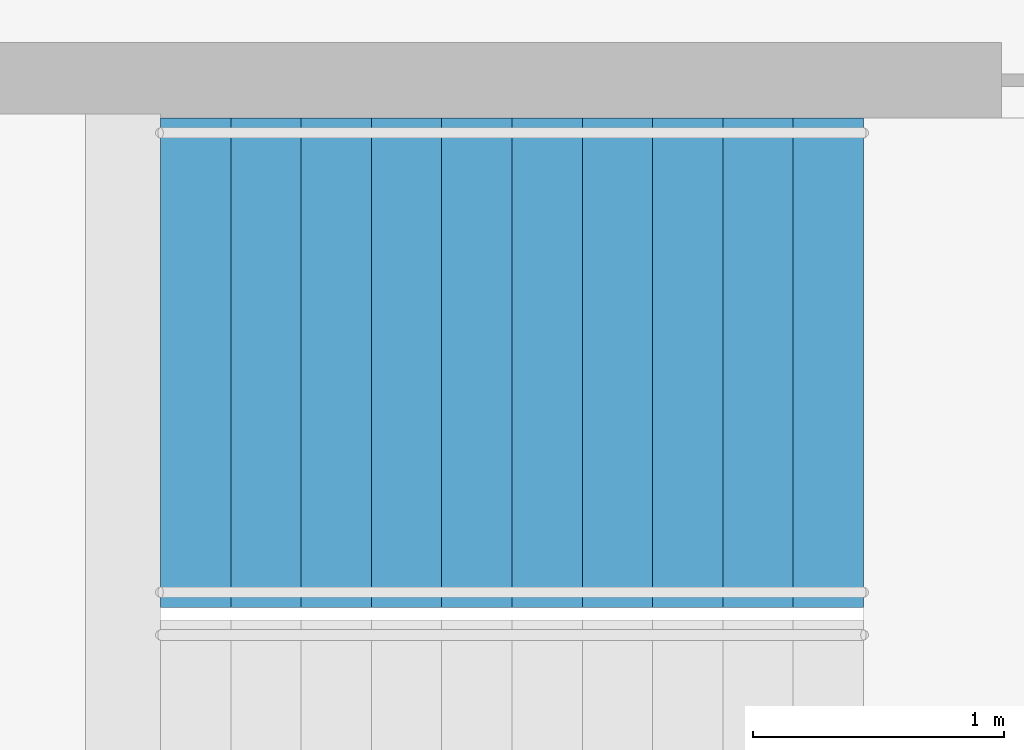
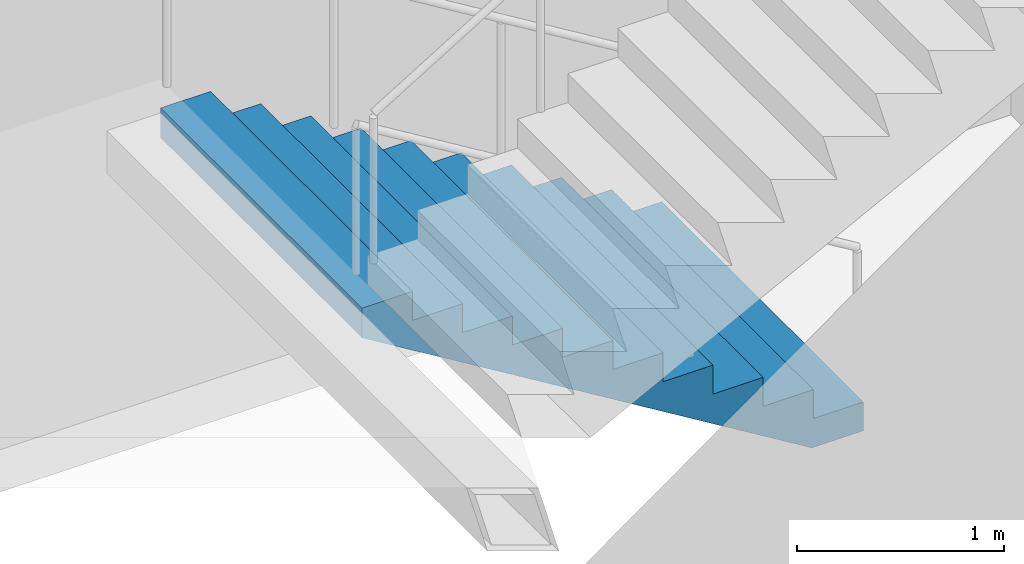
# One storey, part 22 of 23: 1 stair flight, 1 element without a shape of its own.
"""IFC4 building model written with IfcOpenShell, lengths in metres."""

from ifc_helpers import new_model, si_unit, direction, frame, origin, place, context, subcontext, project, spatial, triangles, material, type_object, element, aggregate, save


model = new_model("IFC4")

# Units and contexts
model_context = context("Model", 3, precision=1e-05, world=origin(), true_north=direction((0.0, 1.0)))
body_context = subcontext(model_context, "Body", "Model", "MODEL_VIEW")
ifc_project = project(units=[si_unit("LENGTHUNIT", "METRE"), si_unit("AREAUNIT", "SQUARE_METRE"), si_unit("VOLUMEUNIT", "CUBIC_METRE"), si_unit("PLANEANGLEUNIT", "RADIAN"), si_unit("MASSUNIT", "GRAM", prefix="KILO")], contexts=[model_context])

# Site, building, storey
site_placement = place(None, origin())
site = spatial("IfcSite", under=ifc_project, at=site_placement, CompositionType="ELEMENT")
building_placement = place(site_placement, origin())
building = spatial("IfcBuilding", under=site, at=building_placement, Name="Orbita Commons", CompositionType="ELEMENT")
storey_placement = place(building_placement, frame((0.0, 0.0, 42.699951171875)))
storey = spatial("IfcBuildingStorey", under=building, at=storey_placement, Name="L10", CompositionType="ELEMENT", Elevation=42.699951171875)

# Stair, stair flight
ifc_material_1 = material(Name="Precast concrete C40/50", Category="concrete")
stair_type = type_object("IfcStairType", Name="Exit stair S2 2 flights 11 risers 170", PredefinedType="HALF_TURN_STAIR", material=ifc_material_1)
stair_placement = place(storey_placement, origin())
stair = element("IfcStair", 1, at=stair_placement, inside=storey, type_object=stair_type, Name="Exit stair S2 L10", PredefinedType="HALF_TURN_STAIR")
ifc_material_2 = material(Name="Precast concrete C40/50", Category="concrete")
stair_flight_type = type_object("IfcStairFlightType", Name="Stair flight 11 risers 170 x 280", PredefinedType="STRAIGHT", material=ifc_material_2)
stair_flight_placement = place(storey_placement, frame((63.550048828125, 29.27490234375, 0.0), z_axis=(0.0, 0.0, 1.0), x_axis=(-1.0, 0.0, 0.0)))
stair_flight = element("IfcStairFlight", 2, at=stair_flight_placement, type_object=stair_flight_type, Name="S2 flight 1", NumberOfRisers=11, NumberOfTreads=10, PredefinedType="STRAIGHT", RiserHeight=0.170454545, TreadLength=0.28, context=body_context, shape_type="Tessellation", body=[
    triangles([(0.0, 0.974976, 0.0), (0.0, 0.974976, 0.021307), (0.0, 0.81248, 0.021307), (0.0, 0.81248, 0.0), (0.0, 0.649984, 0.021307), (0.0, 0.649984, 0.0), (0.0, 0.487488, 0.021307), (0.0, 0.487488, 0.0), (0.0, 0.324992, 0.021307), (0.0, 0.324992, 0.0), (0.0, 0.162496, 0.021307), (0.0, 0.162496, 0.0), (0.0, 0.0, 0.021307), (0.0, 0.0, 0.0), (0.0, -0.162496, 0.021307), (0.0, -0.162496, 0.0), (0.0, -0.324992, 0.021307), (0.0, -0.324992, 0.0), (0.0, -0.487488, 0.021307), (0.0, -0.487488, 0.0), (0.0, -0.649984, 0.021307), (0.0, -0.649984, 0.0), (0.0, -0.81248, 0.021307), (0.0, -0.81248, 0.0), (0.0, -0.974976, 0.021307), (0.0, -0.974976, 0.0), (0.0, 0.974976, 0.042614), (0.0, 0.81248, 0.042614), (0.0, 0.649984, 0.042614), (0.0, 0.487488, 0.042614), (0.0, 0.324992, 0.042614), (0.0, 0.162496, 0.042614), (0.0, 0.0, 0.042614), (0.0, -0.162496, 0.042614), (0.0, -0.324992, 0.042614), (0.0, -0.487488, 0.042614), (0.0, -0.649984, 0.042614), (0.0, -0.81248, 0.042614), (0.0, -0.974976, 0.042614), (0.0, 0.974976, 0.06392), (0.0, 0.81248, 0.06392), (0.0, 0.649984, 0.06392), (0.0, 0.487488, 0.06392), (0.0, 0.324992, 0.06392), (0.0, 0.162496, 0.06392), (0.0, 0.0, 0.06392), (0.0, -0.162496, 0.06392), (0.0, -0.324992, 0.06392), (0.0, -0.487488, 0.06392), (0.0, -0.649984, 0.06392), (0.0, -0.81248, 0.06392), (0.0, -0.974976, 0.06392), (0.0, 0.974976, 0.085227), (0.0, 0.81248, 0.085227), (0.0, 0.649984, 0.085227), (0.0, 0.487488, 0.085227), (0.0, 0.324992, 0.085227), (0.0, 0.162496, 0.085227), (0.0, 0.0, 0.085227), (0.0, -0.162496, 0.085227), (0.0, -0.324992, 0.085227), (0.0, -0.487488, 0.085227), (0.0, -0.649984, 0.085227), (0.0, -0.81248, 0.085227), (0.0, -0.974976, 0.085227), (0.0, 0.974976, 0.106534), (0.0, 0.81248, 0.106534), (0.0, 0.649984, 0.106534), (0.0, 0.487488, 0.106534), (0.0, 0.324992, 0.106534), (0.0, 0.162496, 0.106534), (0.0, 0.0, 0.106534), (0.0, -0.162496, 0.106534), (0.0, -0.324992, 0.106534), (0.0, -0.487488, 0.106534), (0.0, -0.649984, 0.106534), (0.0, -0.81248, 0.106534), (0.0, -0.974976, 0.106534), (0.0, 0.974976, 0.127841), (0.0, 0.81248, 0.127841), (0.0, 0.649984, 0.127841), (0.0, 0.487488, 0.127841), (0.0, 0.324992, 0.127841), (0.0, 0.162496, 0.127841), (0.0, 0.0, 0.127841), (0.0, -0.162496, 0.127841), (0.0, -0.324992, 0.127841), (0.0, -0.487488, 0.127841), (0.0, -0.649984, 0.127841), (0.0, -0.81248, 0.127841), (0.0, -0.974976, 0.127841), (0.0, 0.974976, 0.149148), (0.0, 0.81248, 0.149148), (0.0, 0.649984, 0.149148), (0.0, 0.487488, 0.149148), (0.0, 0.324992, 0.149148), (0.0, 0.162496, 0.149148), (0.0, 0.0, 0.149148), (0.0, -0.162496, 0.149148), (0.0, -0.324992, 0.149148), (0.0, -0.487488, 0.149148), (0.0, -0.649984, 0.149148), (0.0, -0.81248, 0.149148), (0.0, -0.974976, 0.149148), (0.0, 0.974976, 0.170455), (0.0, 0.81248, 0.170455), (0.0, 0.649984, 0.170455), (0.0, 0.487488, 0.170455), (0.0, 0.324992, 0.170455), (0.0, 0.162496, 0.170455), (0.0, 0.0, 0.170455), (0.0, -0.162496, 0.170455), (0.0, -0.324992, 0.170455), (0.0, -0.487488, 0.170455), (0.0, -0.649984, 0.170455), (0.0, -0.81248, 0.170455), (0.0, -0.974976, 0.170455), (0.28, 0.974976, 0.170455), (0.28, 0.81248, 0.170455), (0.28, 0.649984, 0.170455), (0.28, 0.487488, 0.170455), (0.28, 0.324992, 0.170455), (0.28, 0.162496, 0.170455), (0.28, 0.0, 0.170455), (0.28, -0.162496, 0.170455), (0.28, -0.324992, 0.170455), (0.28, -0.487488, 0.170455), (0.28, -0.649984, 0.170455), (0.28, -0.81248, 0.170455), (0.28, -0.974976, 0.170455), (0.28, 0.974976, 0.340909), (0.28, 0.81248, 0.340909), (0.28, 0.649984, 0.340909), (0.28, 0.487488, 0.340909), (0.28, 0.324992, 0.340909), (0.28, 0.162496, 0.340909), (0.28, 0.0, 0.340909), (0.28, -0.162496, 0.340909), (0.28, -0.324992, 0.340909), (0.28, -0.487488, 0.340909), (0.28, -0.649984, 0.340909), (0.28, -0.81248, 0.340909), (0.28, -0.974976, 0.340909), (0.56, 0.974976, 0.340909), (0.56, 0.81248, 0.340909), (0.56, 0.649984, 0.340909), (0.56, 0.487488, 0.340909), (0.56, 0.324992, 0.340909), (0.56, 0.162496, 0.340909), (0.56, 0.0, 0.340909), (0.56, -0.162496, 0.340909), (0.56, -0.324992, 0.340909), (0.56, -0.487488, 0.340909), (0.56, -0.649984, 0.340909), (0.56, -0.81248, 0.340909), (0.56, -0.974976, 0.340909), (0.56, 0.974976, 0.511364), (0.56, 0.81248, 0.511364), (0.56, 0.649984, 0.511364), (0.56, 0.487488, 0.511364), (0.56, 0.324992, 0.511364), (0.56, 0.162496, 0.511364), (0.56, 0.0, 0.511364), (0.56, -0.162496, 0.511364), (0.56, -0.324992, 0.511364), (0.56, -0.487488, 0.511364), (0.56, -0.649984, 0.511364), (0.56, -0.81248, 0.511364), (0.56, -0.974976, 0.511364), (0.84, 0.974976, 0.511364), (0.84, 0.81248, 0.511364), (0.84, 0.649984, 0.511364), (0.84, 0.487488, 0.511364), (0.84, 0.324992, 0.511364), (0.84, 0.162496, 0.511364), (0.84, 0.0, 0.511364), (0.84, -0.162496, 0.511364), (0.84, -0.324992, 0.511364), (0.84, -0.487488, 0.511364), (0.84, -0.649984, 0.511364), (0.84, -0.81248, 0.511364), (0.84, -0.974976, 0.511364), (0.84, 0.974976, 0.681818), (0.84, 0.81248, 0.681818), (0.84, 0.649984, 0.681818), (0.84, 0.487488, 0.681818), (0.84, 0.324992, 0.681818), (0.84, 0.162496, 0.681818), (0.84, 0.0, 0.681818), (0.84, -0.162496, 0.681818), (0.84, -0.324992, 0.681818), (0.84, -0.487488, 0.681818), (0.84, -0.649984, 0.681818), (0.84, -0.81248, 0.681818), (0.84, -0.974976, 0.681818), (1.12, 0.974976, 0.681818), (1.12, 0.81248, 0.681818), (1.12, 0.649984, 0.681818), (1.12, 0.487488, 0.681818), (1.12, 0.324992, 0.681818), (1.12, 0.162496, 0.681818), (1.12, 0.0, 0.681818), (1.12, -0.162496, 0.681818), (1.12, -0.324992, 0.681818), (1.12, -0.487488, 0.681818), (1.12, -0.649984, 0.681818), (1.12, -0.81248, 0.681818), (1.12, -0.974976, 0.681818), (1.12, 0.974976, 0.852273), (1.12, 0.81248, 0.852273), (1.12, 0.649984, 0.852273), (1.12, 0.487488, 0.852273), (1.12, 0.324992, 0.852273), (1.12, 0.162496, 0.852273), (1.12, 0.0, 0.852273), (1.12, -0.162496, 0.852273), (1.12, -0.324992, 0.852273), (1.12, -0.487488, 0.852273), (1.12, -0.649984, 0.852273), (1.12, -0.81248, 0.852273), (1.12, -0.974976, 0.852273), (1.4, 0.974976, 0.852273), (1.4, 0.81248, 0.852273), (1.4, 0.649984, 0.852273), (1.4, 0.487488, 0.852273), (1.4, 0.324992, 0.852273), (1.4, 0.162496, 0.852273), (1.4, 0.0, 0.852273), (1.4, -0.162496, 0.852273), (1.4, -0.324992, 0.852273), (1.4, -0.487488, 0.852273), (1.4, -0.649984, 0.852273), (1.4, -0.81248, 0.852273), (1.4, -0.974976, 0.852273), (1.4, 0.974976, 1.022727), (1.4, 0.81248, 1.022727), (1.4, 0.649984, 1.022727), (1.4, 0.487488, 1.022727), (1.4, 0.324992, 1.022727), (1.4, 0.162496, 1.022727), (1.4, 0.0, 1.022727), (1.4, -0.162496, 1.022727), (1.4, -0.324992, 1.022727), (1.4, -0.487488, 1.022727), (1.4, -0.649984, 1.022727), (1.4, -0.81248, 1.022727), (1.4, -0.974976, 1.022727), (1.68, 0.974976, 1.022727), (1.68, 0.81248, 1.022727), (1.68, 0.649984, 1.022727), (1.68, 0.487488, 1.022727), (1.68, 0.324992, 1.022727), (1.68, 0.162496, 1.022727), (1.68, 0.0, 1.022727), (1.68, -0.162496, 1.022727), (1.68, -0.324992, 1.022727), (1.68, -0.487488, 1.022727), (1.68, -0.649984, 1.022727), (1.68, -0.81248, 1.022727), (1.68, -0.974976, 1.022727), (1.68, 0.974976, 1.193182), (1.68, 0.81248, 1.193182), (1.68, 0.649984, 1.193182), (1.68, 0.487488, 1.193182), (1.68, 0.324992, 1.193182), (1.68, 0.162496, 1.193182), (1.68, 0.0, 1.193182), (1.68, -0.162496, 1.193182), (1.68, -0.324992, 1.193182), (1.68, -0.487488, 1.193182), (1.68, -0.649984, 1.193182), (1.68, -0.81248, 1.193182), (1.68, -0.974976, 1.193182), (1.96, 0.974976, 1.193182), (1.96, 0.81248, 1.193182), (1.96, 0.649984, 1.193182), (1.96, 0.487488, 1.193182), (1.96, 0.324992, 1.193182), (1.96, 0.162496, 1.193182), (1.96, 0.0, 1.193182), (1.96, -0.162496, 1.193182), (1.96, -0.324992, 1.193182), (1.96, -0.487488, 1.193182), (1.96, -0.649984, 1.193182), (1.96, -0.81248, 1.193182), (1.96, -0.974976, 1.193182), (1.96, 0.974976, 1.363636), (1.96, 0.81248, 1.363636), (1.96, 0.649984, 1.363636), (1.96, 0.487488, 1.363636), (1.96, 0.324992, 1.363636), (1.96, 0.162496, 1.363636), (1.96, 0.0, 1.363636), (1.96, -0.162496, 1.363636), (1.96, -0.324992, 1.363636), (1.96, -0.487488, 1.363636), (1.96, -0.649984, 1.363636), (1.96, -0.81248, 1.363636), (1.96, -0.974976, 1.363636), (2.24, 0.974976, 1.363636), (2.24, 0.81248, 1.363636), (2.24, 0.649984, 1.363636), (2.24, 0.487488, 1.363636), (2.24, 0.324992, 1.363636), (2.24, 0.162496, 1.363636), (2.24, 0.0, 1.363636), (2.24, -0.162496, 1.363636), (2.24, -0.324992, 1.363636), (2.24, -0.487488, 1.363636), (2.24, -0.649984, 1.363636), (2.24, -0.81248, 1.363636), (2.24, -0.974976, 1.363636), (2.24, 0.974976, 1.534091), (2.24, 0.81248, 1.534091), (2.24, 0.649984, 1.534091), (2.24, 0.487488, 1.534091), (2.24, 0.324992, 1.534091), (2.24, 0.162496, 1.534091), (2.24, 0.0, 1.534091), (2.24, -0.162496, 1.534091), (2.24, -0.324992, 1.534091), (2.24, -0.487488, 1.534091), (2.24, -0.649984, 1.534091), (2.24, -0.81248, 1.534091), (2.24, -0.974976, 1.534091), (2.52, 0.974976, 1.534091), (2.52, 0.81248, 1.534091), (2.52, 0.649984, 1.534091), (2.52, 0.487488, 1.534091), (2.52, 0.324992, 1.534091), (2.52, 0.162496, 1.534091), (2.52, 0.0, 1.534091), (2.52, -0.162496, 1.534091), (2.52, -0.324992, 1.534091), (2.52, -0.487488, 1.534091), (2.52, -0.649984, 1.534091), (2.52, -0.81248, 1.534091), (2.52, -0.974976, 1.534091), (2.52, 0.974976, 1.704545), (2.52, 0.81248, 1.704545), (2.52, 0.649984, 1.704545), (2.52, 0.487488, 1.704545), (2.52, 0.324992, 1.704545), (2.52, 0.162496, 1.704545), (2.52, 0.0, 1.704545), (2.52, -0.162496, 1.704545), (2.52, -0.324992, 1.704545), (2.52, -0.487488, 1.704545), (2.52, -0.649984, 1.704545), (2.52, -0.81248, 1.704545), (2.52, -0.974976, 1.704545), (2.8, 0.974976, 1.704545), (2.8, 0.81248, 1.704545), (2.8, 0.649984, 1.704545), (2.8, 0.487488, 1.704545), (2.8, 0.324992, 1.704545), (2.8, 0.162496, 1.704545), (2.8, 0.0, 1.704545), (2.8, -0.162496, 1.704545), (2.8, -0.324992, 1.704545), (2.8, -0.487488, 1.704545), (2.8, -0.649984, 1.704545), (2.8, -0.81248, 1.704545), (2.8, -0.974976, 1.704545), (2.8, 0.974976, 1.682609), (2.8, 0.81248, 1.682609), (2.8, 0.649984, 1.682609), (2.8, 0.487488, 1.682609), (2.8, 0.324992, 1.682609), (2.8, 0.162496, 1.682609), (2.8, 0.0, 1.682609), (2.8, -0.162496, 1.682609), (2.8, -0.324992, 1.682609), (2.8, -0.487488, 1.682609), (2.8, -0.649984, 1.682609), (2.8, -0.81248, 1.682609), (2.8, -0.974976, 1.682609), (2.8, 0.974976, 1.660672), (2.8, 0.81248, 1.660672), (2.8, 0.649984, 1.660672), (2.8, 0.487488, 1.660672), (2.8, 0.324992, 1.660672), (2.8, 0.162496, 1.660672), (2.8, 0.0, 1.660672), (2.8, -0.162496, 1.660672), (2.8, -0.324992, 1.660672), (2.8, -0.487488, 1.660672), (2.8, -0.649984, 1.660672), (2.8, -0.81248, 1.660672), (2.8, -0.974976, 1.660672), (2.8, 0.974976, 1.638735), (2.8, 0.81248, 1.638735), (2.8, 0.649984, 1.638735), (2.8, 0.487488, 1.638735), (2.8, 0.324992, 1.638735), (2.8, 0.162496, 1.638735), (2.8, 0.0, 1.638735), (2.8, -0.162496, 1.638735), (2.8, -0.324992, 1.638735), (2.8, -0.487488, 1.638735), (2.8, -0.649984, 1.638735), (2.8, -0.81248, 1.638735), (2.8, -0.974976, 1.638735), (2.8, 0.974976, 1.616798), (2.8, 0.81248, 1.616798), (2.8, 0.649984, 1.616798), (2.8, 0.487488, 1.616798), (2.8, 0.324992, 1.616798), (2.8, 0.162496, 1.616798), (2.8, 0.0, 1.616798), (2.8, -0.162496, 1.616798), (2.8, -0.324992, 1.616798), (2.8, -0.487488, 1.616798), (2.8, -0.649984, 1.616798), (2.8, -0.81248, 1.616798), (2.8, -0.974976, 1.616798), (2.8, 0.974976, 1.594861), (2.8, 0.81248, 1.594861), (2.8, 0.649984, 1.594861), (2.8, 0.487488, 1.594861), (2.8, 0.324992, 1.594861), (2.8, 0.162496, 1.594861), (2.8, 0.0, 1.594861), (2.8, -0.162496, 1.594861), (2.8, -0.324992, 1.594861), (2.8, -0.487488, 1.594861), (2.8, -0.649984, 1.594861), (2.8, -0.81248, 1.594861), (2.8, -0.974976, 1.594861), (2.8, 0.974976, 1.572925), (2.8, 0.81248, 1.572925), (2.8, 0.649984, 1.572925), (2.8, 0.487488, 1.572925), (2.8, 0.324992, 1.572925), (2.8, 0.162496, 1.572925), (2.8, 0.0, 1.572925), (2.8, -0.162496, 1.572925), (2.8, -0.324992, 1.572925), (2.8, -0.487488, 1.572925), (2.8, -0.649984, 1.572925), (2.8, -0.81248, 1.572925), (2.8, -0.974976, 1.572925), (2.8, 0.974976, 1.550988), (2.8, 0.81248, 1.550988), (2.8, 0.649984, 1.550988), (2.8, 0.487488, 1.550988), (2.8, 0.324992, 1.550988), (2.8, 0.162496, 1.550988), (2.8, 0.0, 1.550988), (2.8, -0.162496, 1.550988), (2.8, -0.324992, 1.550988), (2.8, -0.487488, 1.550988), (2.8, -0.649984, 1.550988), (2.8, -0.81248, 1.550988), (2.8, -0.974976, 1.550988), (2.8, 0.974976, 1.529051), (2.8, 0.81248, 1.529051), (2.8, 0.649984, 1.529051), (2.8, 0.487488, 1.529051), (2.8, 0.324992, 1.529051), (2.8, 0.162496, 1.529051), (2.8, 0.0, 1.529051), (2.8, -0.162496, 1.529051), (2.8, -0.324992, 1.529051), (2.8, -0.487488, 1.529051), (2.8, -0.649984, 1.529051), (2.8, -0.81248, 1.529051), (2.8, -0.974976, 1.529051), (0.288279, 0.974976, 0.0), (0.288279, 0.81248, 0.0), (0.288279, 0.649984, 0.0), (0.288279, 0.487488, 0.0), (0.288279, 0.324992, 0.0), (0.288279, 0.162496, 0.0), (0.288279, 0.0, 0.0), (0.288279, -0.162496, 0.0), (0.288279, -0.324992, 0.0), (0.288279, -0.487488, 0.0), (0.288279, -0.649984, 0.0), (0.288279, -0.81248, 0.0), (0.288279, -0.974976, 0.0)], [[3, 2, 1], [4, 3, 1], [5, 3, 4], [6, 5, 4], [7, 5, 6], [8, 7, 6], [9, 7, 8], [10, 9, 8], [11, 9, 10], [12, 11, 10], [13, 11, 12], [14, 13, 12], [15, 13, 14], [16, 15, 14], [17, 15, 16], [18, 17, 16], [19, 17, 18], [20, 19, 18], [21, 19, 20], [22, 21, 20], [23, 21, 22], [24, 23, 22], [25, 23, 24], [26, 25, 24], [28, 27, 2], [3, 28, 2], [29, 28, 3], [5, 29, 3], [30, 29, 5], [7, 30, 5], [31, 30, 7], [9, 31, 7], [32, 31, 9], [11, 32, 9], [33, 32, 11], [13, 33, 11], [34, 33, 13], [15, 34, 13], [35, 34, 15], [17, 35, 15], [36, 35, 17], [19, 36, 17], [37, 36, 19], [21, 37, 19], [38, 37, 21], [23, 38, 21], [39, 38, 23], [25, 39, 23], [41, 40, 27], [28, 41, 27], [42, 41, 28], [29, 42, 28], [43, 42, 29], [30, 43, 29], [44, 43, 30], [31, 44, 30], [45, 44, 31], [32, 45, 31], [46, 45, 32], [33, 46, 32], [47, 46, 33], [34, 47, 33], [48, 47, 34], [35, 48, 34], [49, 48, 35], [36, 49, 35], [50, 49, 36], [37, 50, 36], [51, 50, 37], [38, 51, 37], [52, 51, 38], [39, 52, 38], [54, 53, 40], [41, 54, 40], [55, 54, 41], [42, 55, 41], [56, 55, 42], [43, 56, 42], [57, 56, 43], [44, 57, 43], [58, 57, 44], [45, 58, 44], [59, 58, 45], [46, 59, 45], [60, 59, 46], [47, 60, 46], [61, 60, 47], [48, 61, 47], [62, 61, 48], [49, 62, 48], [63, 62, 49], [50, 63, 49], [64, 63, 50], [51, 64, 50], [65, 64, 51], [52, 65, 51], [67, 66, 53], [54, 67, 53], [68, 67, 54], [55, 68, 54], [69, 68, 55], [56, 69, 55], [70, 69, 56], [57, 70, 56], [71, 70, 57], [58, 71, 57], [72, 71, 58], [59, 72, 58], [73, 72, 59], [60, 73, 59], [74, 73, 60], [61, 74, 60], [75, 74, 61], [62, 75, 61], [76, 75, 62], [63, 76, 62], [77, 76, 63], [64, 77, 63], [78, 77, 64], [65, 78, 64], [80, 79, 66], [67, 80, 66], [81, 80, 67], [68, 81, 67], [82, 81, 68], [69, 82, 68], [83, 82, 69], [70, 83, 69], [84, 83, 70], [71, 84, 70], [85, 84, 71], [72, 85, 71], [86, 85, 72], [73, 86, 72], [87, 86, 73], [74, 87, 73], [88, 87, 74], [75, 88, 74], [89, 88, 75], [76, 89, 75], [90, 89, 76], [77, 90, 76], [91, 90, 77], [78, 91, 77], [93, 92, 79], [80, 93, 79], [94, 93, 80], [81, 94, 80], [95, 94, 81], [82, 95, 81], [96, 95, 82], [83, 96, 82], [97, 96, 83], [84, 97, 83], [98, 97, 84], [85, 98, 84], [99, 98, 85], [86, 99, 85], [100, 99, 86], [87, 100, 86], [101, 100, 87], [88, 101, 87], [102, 101, 88], [89, 102, 88], [103, 102, 89], [90, 103, 89], [104, 103, 90], [91, 104, 90], [106, 105, 92], [93, 106, 92], [107, 106, 93], [94, 107, 93], [108, 107, 94], [95, 108, 94], [109, 108, 95], [96, 109, 95], [110, 109, 96], [97, 110, 96], [111, 110, 97], [98, 111, 97], [112, 111, 98], [99, 112, 98], [113, 112, 99], [100, 113, 99], [114, 113, 100], [101, 114, 100], [115, 114, 101], [102, 115, 101], [116, 115, 102], [103, 116, 102], [117, 116, 103], [104, 117, 103], [119, 118, 105], [106, 119, 105], [120, 119, 106], [107, 120, 106], [121, 120, 107], [108, 121, 107], [122, 121, 108], [109, 122, 108], [123, 122, 109], [110, 123, 109], [124, 123, 110], [111, 124, 110], [125, 124, 111], [112, 125, 111], [126, 125, 112], [113, 126, 112], [127, 126, 113], [114, 127, 113], [128, 127, 114], [115, 128, 114], [129, 128, 115], [116, 129, 115], [130, 129, 116], [117, 130, 116], [132, 131, 118], [119, 132, 118], [133, 132, 119], [120, 133, 119], [134, 133, 120], [121, 134, 120], [135, 134, 121], [122, 135, 121], [136, 135, 122], [123, 136, 122], [137, 136, 123], [124, 137, 123], [138, 137, 124], [125, 138, 124], [139, 138, 125], [126, 139, 125], [140, 139, 126], [127, 140, 126], [141, 140, 127], [128, 141, 127], [142, 141, 128], [129, 142, 128], [143, 142, 129], [130, 143, 129], [145, 144, 131], [132, 145, 131], [146, 145, 132], [133, 146, 132], [147, 146, 133], [134, 147, 133], [148, 147, 134], [135, 148, 134], [149, 148, 135], [136, 149, 135], [150, 149, 136], [137, 150, 136], [151, 150, 137], [138, 151, 137], [152, 151, 138], [139, 152, 138], [153, 152, 139], [140, 153, 139], [154, 153, 140], [141, 154, 140], [155, 154, 141], [142, 155, 141], [156, 155, 142], [143, 156, 142], [158, 157, 144], [145, 158, 144], [159, 158, 145], [146, 159, 145], [160, 159, 146], [147, 160, 146], [161, 160, 147], [148, 161, 147], [162, 161, 148], [149, 162, 148], [163, 162, 149], [150, 163, 149], [164, 163, 150], [151, 164, 150], [165, 164, 151], [152, 165, 151], [166, 165, 152], [153, 166, 152], [167, 166, 153], [154, 167, 153], [168, 167, 154], [155, 168, 154], [169, 168, 155], [156, 169, 155], [171, 170, 157], [158, 171, 157], [172, 171, 158], [159, 172, 158], [173, 172, 159], [160, 173, 159], [174, 173, 160], [161, 174, 160], [175, 174, 161], [162, 175, 161], [176, 175, 162], [163, 176, 162], [177, 176, 163], [164, 177, 163], [178, 177, 164], [165, 178, 164], [179, 178, 165], [166, 179, 165], [180, 179, 166], [167, 180, 166], [181, 180, 167], [168, 181, 167], [182, 181, 168], [169, 182, 168], [184, 183, 170], [171, 184, 170], [185, 184, 171], [172, 185, 171], [186, 185, 172], [173, 186, 172], [187, 186, 173], [174, 187, 173], [188, 187, 174], [175, 188, 174], [189, 188, 175], [176, 189, 175], [190, 189, 176], [177, 190, 176], [191, 190, 177], [178, 191, 177], [192, 191, 178], [179, 192, 178], [193, 192, 179], [180, 193, 179], [194, 193, 180], [181, 194, 180], [195, 194, 181], [182, 195, 181], [197, 196, 183], [184, 197, 183], [198, 197, 184], [185, 198, 184], [199, 198, 185], [186, 199, 185], [200, 199, 186], [187, 200, 186], [201, 200, 187], [188, 201, 187], [202, 201, 188], [189, 202, 188], [203, 202, 189], [190, 203, 189], [204, 203, 190], [191, 204, 190], [205, 204, 191], [192, 205, 191], [206, 205, 192], [193, 206, 192], [207, 206, 193], [194, 207, 193], [208, 207, 194], [195, 208, 194], [210, 209, 196], [197, 210, 196], [211, 210, 197], [198, 211, 197], [212, 211, 198], [199, 212, 198], [213, 212, 199], [200, 213, 199], [214, 213, 200], [201, 214, 200], [215, 214, 201], [202, 215, 201], [216, 215, 202], [203, 216, 202], [217, 216, 203], [204, 217, 203], [218, 217, 204], [205, 218, 204], [219, 218, 205], [206, 219, 205], [220, 219, 206], [207, 220, 206], [221, 220, 207], [208, 221, 207], [223, 222, 209], [210, 223, 209], [224, 223, 210], [211, 224, 210], [225, 224, 211], [212, 225, 211], [226, 225, 212], [213, 226, 212], [227, 226, 213], [214, 227, 213], [228, 227, 214], [215, 228, 214], [229, 228, 215], [216, 229, 215], [230, 229, 216], [217, 230, 216], [231, 230, 217], [218, 231, 217], [232, 231, 218], [219, 232, 218], [233, 232, 219], [220, 233, 219], [234, 233, 220], [221, 234, 220], [236, 235, 222], [223, 236, 222], [237, 236, 223], [224, 237, 223], [238, 237, 224], [225, 238, 224], [239, 238, 225], [226, 239, 225], [240, 239, 226], [227, 240, 226], [241, 240, 227], [228, 241, 227], [242, 241, 228], [229, 242, 228], [243, 242, 229], [230, 243, 229], [244, 243, 230], [231, 244, 230], [245, 244, 231], [232, 245, 231], [246, 245, 232], [233, 246, 232], [247, 246, 233], [234, 247, 233], [249, 248, 235], [236, 249, 235], [250, 249, 236], [237, 250, 236], [251, 250, 237], [238, 251, 237], [252, 251, 238], [239, 252, 238], [253, 252, 239], [240, 253, 239], [254, 253, 240], [241, 254, 240], [255, 254, 241], [242, 255, 241], [256, 255, 242], [243, 256, 242], [257, 256, 243], [244, 257, 243], [258, 257, 244], [245, 258, 244], [259, 258, 245], [246, 259, 245], [260, 259, 246], [247, 260, 246], [262, 261, 248], [249, 262, 248], [263, 262, 249], [250, 263, 249], [264, 263, 250], [251, 264, 250], [265, 264, 251], [252, 265, 251], [266, 265, 252], [253, 266, 252], [267, 266, 253], [254, 267, 253], [268, 267, 254], [255, 268, 254], [269, 268, 255], [256, 269, 255], [270, 269, 256], [257, 270, 256], [271, 270, 257], [258, 271, 257], [272, 271, 258], [259, 272, 258], [273, 272, 259], [260, 273, 259], [275, 274, 261], [262, 275, 261], [276, 275, 262], [263, 276, 262], [277, 276, 263], [264, 277, 263], [278, 277, 264], [265, 278, 264], [279, 278, 265], [266, 279, 265], [280, 279, 266], [267, 280, 266], [281, 280, 267], [268, 281, 267], [282, 281, 268], [269, 282, 268], [283, 282, 269], [270, 283, 269], [284, 283, 270], [271, 284, 270], [285, 284, 271], [272, 285, 271], [286, 285, 272], [273, 286, 272], [288, 287, 274], [275, 288, 274], [289, 288, 275], [276, 289, 275], [290, 289, 276], [277, 290, 276], [291, 290, 277], [278, 291, 277], [292, 291, 278], [279, 292, 278], [293, 292, 279], [280, 293, 279], [294, 293, 280], [281, 294, 280], [295, 294, 281], [282, 295, 281], [296, 295, 282], [283, 296, 282], [297, 296, 283], [284, 297, 283], [298, 297, 284], [285, 298, 284], [299, 298, 285], [286, 299, 285], [301, 300, 287], [288, 301, 287], [302, 301, 288], [289, 302, 288], [303, 302, 289], [290, 303, 289], [304, 303, 290], [291, 304, 290], [305, 304, 291], [292, 305, 291], [306, 305, 292], [293, 306, 292], [307, 306, 293], [294, 307, 293], [308, 307, 294], [295, 308, 294], [309, 308, 295], [296, 309, 295], [310, 309, 296], [297, 310, 296], [311, 310, 297], [298, 311, 297], [312, 311, 298], [299, 312, 298], [314, 313, 300], [301, 314, 300], [315, 314, 301], [302, 315, 301], [316, 315, 302], [303, 316, 302], [317, 316, 303], [304, 317, 303], [318, 317, 304], [305, 318, 304], [319, 318, 305], [306, 319, 305], [320, 319, 306], [307, 320, 306], [321, 320, 307], [308, 321, 307], [322, 321, 308], [309, 322, 308], [323, 322, 309], [310, 323, 309], [324, 323, 310], [311, 324, 310], [325, 324, 311], [312, 325, 311], [327, 326, 313], [314, 327, 313], [328, 327, 314], [315, 328, 314], [329, 328, 315], [316, 329, 315], [330, 329, 316], [317, 330, 316], [331, 330, 317], [318, 331, 317], [332, 331, 318], [319, 332, 318], [333, 332, 319], [320, 333, 319], [334, 333, 320], [321, 334, 320], [335, 334, 321], [322, 335, 321], [336, 335, 322], [323, 336, 322], [337, 336, 323], [324, 337, 323], [338, 337, 324], [325, 338, 324], [340, 339, 326], [327, 340, 326], [341, 340, 327], [328, 341, 327], [342, 341, 328], [329, 342, 328], [343, 342, 329], [330, 343, 329], [344, 343, 330], [331, 344, 330], [345, 344, 331], [332, 345, 331], [346, 345, 332], [333, 346, 332], [347, 346, 333], [334, 347, 333], [348, 347, 334], [335, 348, 334], [349, 348, 335], [336, 349, 335], [350, 349, 336], [337, 350, 336], [351, 350, 337], [338, 351, 337], [353, 352, 339], [340, 353, 339], [354, 353, 340], [341, 354, 340], [355, 354, 341], [342, 355, 341], [356, 355, 342], [343, 356, 342], [357, 356, 343], [344, 357, 343], [358, 357, 344], [345, 358, 344], [359, 358, 345], [346, 359, 345], [360, 359, 346], [347, 360, 346], [361, 360, 347], [348, 361, 347], [362, 361, 348], [349, 362, 348], [363, 362, 349], [350, 363, 349], [364, 363, 350], [351, 364, 350], [366, 365, 352], [353, 366, 352], [367, 366, 353], [354, 367, 353], [368, 367, 354], [355, 368, 354], [369, 368, 355], [356, 369, 355], [370, 369, 356], [357, 370, 356], [371, 370, 357], [358, 371, 357], [372, 371, 358], [359, 372, 358], [373, 372, 359], [360, 373, 359], [374, 373, 360], [361, 374, 360], [375, 374, 361], [362, 375, 361], [376, 375, 362], [363, 376, 362], [377, 376, 363], [364, 377, 363], [379, 378, 365], [366, 379, 365], [380, 379, 366], [367, 380, 366], [381, 380, 367], [368, 381, 367], [382, 381, 368], [369, 382, 368], [383, 382, 369], [370, 383, 369], [384, 383, 370], [371, 384, 370], [385, 384, 371], [372, 385, 371], [386, 385, 372], [373, 386, 372], [387, 386, 373], [374, 387, 373], [388, 387, 374], [375, 388, 374], [389, 388, 375], [376, 389, 375], [390, 389, 376], [377, 390, 376], [392, 391, 378], [379, 392, 378], [393, 392, 379], [380, 393, 379], [394, 393, 380], [381, 394, 380], [395, 394, 381], [382, 395, 381], [396, 395, 382], [383, 396, 382], [397, 396, 383], [384, 397, 383], [398, 397, 384], [385, 398, 384], [399, 398, 385], [386, 399, 385], [400, 399, 386], [387, 400, 386], [401, 400, 387], [388, 401, 387], [402, 401, 388], [389, 402, 388], [403, 402, 389], [390, 403, 389], [405, 404, 391], [392, 405, 391], [406, 405, 392], [393, 406, 392], [407, 406, 393], [394, 407, 393], [408, 407, 394], [395, 408, 394], [409, 408, 395], [396, 409, 395], [410, 409, 396], [397, 410, 396], [411, 410, 397], [398, 411, 397], [412, 411, 398], [399, 412, 398], [413, 412, 399], [400, 413, 399], [414, 413, 400], [401, 414, 400], [415, 414, 401], [402, 415, 401], [416, 415, 402], [403, 416, 402], [418, 417, 404], [405, 418, 404], [419, 418, 405], [406, 419, 405], [420, 419, 406], [407, 420, 406], [421, 420, 407], [408, 421, 407], [422, 421, 408], [409, 422, 408], [423, 422, 409], [410, 423, 409], [424, 423, 410], [411, 424, 410], [425, 424, 411], [412, 425, 411], [426, 425, 412], [413, 426, 412], [427, 426, 413], [414, 427, 413], [428, 427, 414], [415, 428, 414], [429, 428, 415], [416, 429, 415], [431, 430, 417], [418, 431, 417], [432, 431, 418], [419, 432, 418], [433, 432, 419], [420, 433, 419], [434, 433, 420], [421, 434, 420], [435, 434, 421], [422, 435, 421], [436, 435, 422], [423, 436, 422], [437, 436, 423], [424, 437, 423], [438, 437, 424], [425, 438, 424], [439, 438, 425], [426, 439, 425], [440, 439, 426], [427, 440, 426], [441, 440, 427], [428, 441, 427], [442, 441, 428], [429, 442, 428], [444, 443, 430], [431, 444, 430], [445, 444, 431], [432, 445, 431], [446, 445, 432], [433, 446, 432], [447, 446, 433], [434, 447, 433], [448, 447, 434], [435, 448, 434], [449, 448, 435], [436, 449, 435], [450, 449, 436], [437, 450, 436], [451, 450, 437], [438, 451, 437], [452, 451, 438], [439, 452, 438], [453, 452, 439], [440, 453, 439], [454, 453, 440], [441, 454, 440], [455, 454, 441], [442, 455, 441], [457, 456, 443], [444, 457, 443], [458, 457, 444], [445, 458, 444], [459, 458, 445], [446, 459, 445], [460, 459, 446], [447, 460, 446], [461, 460, 447], [448, 461, 447], [462, 461, 448], [449, 462, 448], [463, 462, 449], [450, 463, 449], [464, 463, 450], [451, 464, 450], [465, 464, 451], [452, 465, 451], [466, 465, 452], [453, 466, 452], [467, 466, 453], [454, 467, 453], [468, 467, 454], [455, 468, 454], [470, 469, 456], [457, 470, 456], [471, 470, 457], [458, 471, 457], [472, 471, 458], [459, 472, 458], [473, 472, 459], [460, 473, 459], [474, 473, 460], [461, 474, 460], [475, 474, 461], [462, 475, 461], [476, 475, 462], [463, 476, 462], [477, 476, 463], [464, 477, 463], [478, 477, 464], [465, 478, 464], [479, 478, 465], [466, 479, 465], [480, 479, 466], [467, 480, 466], [481, 480, 467], [468, 481, 467], [4, 1, 469], [470, 4, 469], [6, 4, 470], [471, 6, 470], [8, 6, 471], [472, 8, 471], [10, 8, 472], [473, 10, 472], [12, 10, 473], [474, 12, 473], [14, 12, 474], [475, 14, 474], [16, 14, 475], [476, 16, 475], [18, 16, 476], [477, 18, 476], [20, 18, 477], [478, 20, 477], [22, 20, 478], [479, 22, 478], [24, 22, 479], [480, 24, 479], [26, 24, 480], [481, 26, 480], [456, 469, 1], [26, 481, 468], [443, 456, 1], [26, 468, 455], [430, 443, 1], [26, 455, 442], [417, 430, 1], [26, 442, 429], [404, 417, 1], [26, 429, 416], [391, 404, 1], [26, 416, 403], [378, 391, 1], [26, 403, 390], [365, 378, 1], [26, 390, 377], [339, 352, 365], [377, 364, 351], [326, 339, 365], [377, 351, 338], [300, 313, 326], [338, 325, 312], [300, 326, 365], [377, 338, 312], [274, 287, 300], [312, 299, 286], [274, 300, 365], [377, 312, 286], [248, 261, 274], [286, 273, 260], [248, 274, 365], [377, 286, 260], [222, 235, 248], [260, 247, 234], [222, 248, 365], [377, 260, 234], [196, 209, 222], [234, 221, 208], [196, 222, 365], [377, 234, 208], [170, 183, 196], [208, 195, 182], [170, 196, 365], [377, 208, 182], [144, 157, 170], [182, 169, 156], [144, 170, 365], [377, 182, 156], [118, 131, 144], [156, 143, 130], [118, 144, 365], [377, 156, 130], [118, 365, 1], [26, 377, 130], [92, 105, 118], [130, 117, 104], [79, 92, 118], [130, 104, 91], [66, 79, 118], [130, 91, 78], [53, 66, 118], [130, 78, 65], [40, 53, 118], [130, 65, 52], [27, 40, 118], [130, 52, 39], [2, 27, 118], [130, 39, 25], [1, 2, 118], [130, 25, 26]], closed=True),
])
aggregate(stair, [stair_flight])

save(model, "model.ifc")
